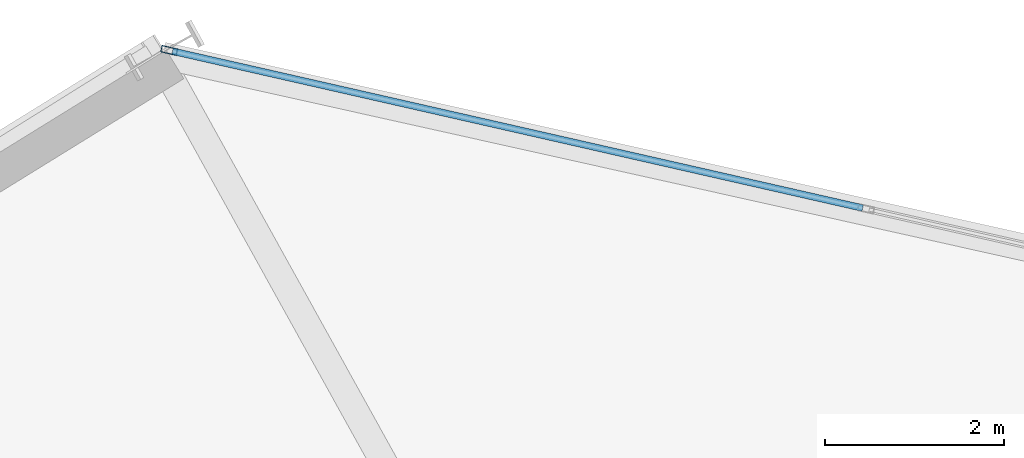
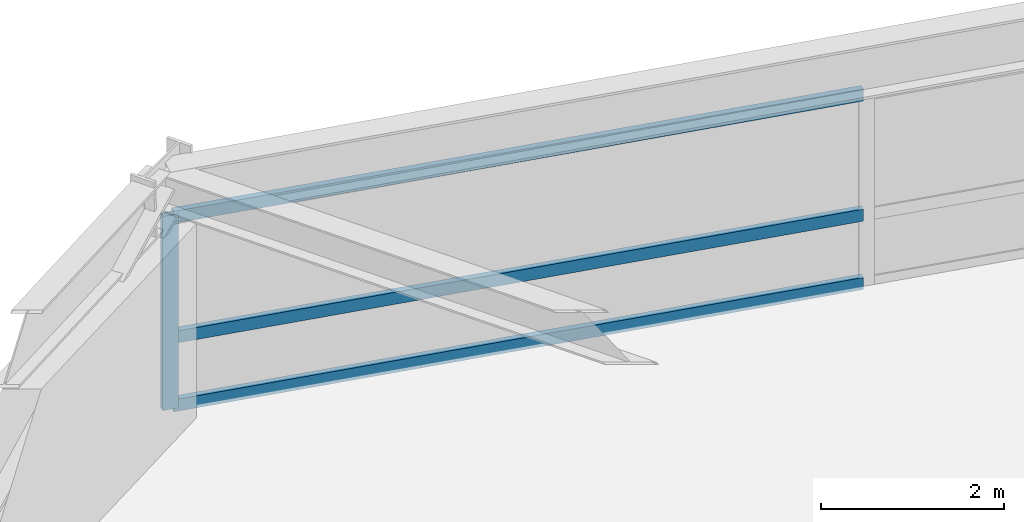
# One storey, part 8 of 23: 4 members, 1 element without a shape of its own.
"""IFC4 building model written with IfcOpenShell, lengths in metres."""

from ifc_helpers import new_model, si_unit, direction, frame, origin, origin_2d, place, context, subcontext, project, spatial, hollow_rectangle, extrude, source, transform, mapped, material, material_profile, profile_set, type_object, element, aggregate, save


model = new_model("IFC4")

# Units and contexts
model_context = context("Model", 3, precision=1e-05, world=origin(), true_north=direction((0.0, 1.0)))
body_context = subcontext(model_context, "Body", "Model", "MODEL_VIEW")
ifc_project = project(units=[si_unit("LENGTHUNIT", "METRE"), si_unit("AREAUNIT", "SQUARE_METRE"), si_unit("VOLUMEUNIT", "CUBIC_METRE"), si_unit("PLANEANGLEUNIT", "RADIAN"), si_unit("MASSUNIT", "GRAM", prefix="KILO")], contexts=[model_context])

# Site, building, storey
site_placement = place(None, origin())
site = spatial("IfcSite", under=ifc_project, at=site_placement, CompositionType="ELEMENT")
building_placement = place(site_placement, origin())
building = spatial("IfcBuilding", under=site, at=building_placement, Name="Olszyna Solenne Hotel", CompositionType="ELEMENT")
storey_placement = place(building_placement, frame((0.0, 0.0, 32.85009765625)))
storey = spatial("IfcBuildingStorey", under=building, at=storey_placement, Name="L07", CompositionType="ELEMENT", Elevation=32.85009765625)

# Curtain wall, members
ifc_material = material(Name="Anodised bronze aluminium", Category="aluminium")
curtain_wall_type = type_object("IfcCurtainWallType", Name="CW-SYS-2", PredefinedType="NOTDEFINED", material=ifc_material)
curtain_wall_placement = place(storey_placement, origin())
curtain_wall = element("IfcCurtainWall", 1, at=curtain_wall_placement, inside=storey, type_object=curtain_wall_type, Name="Unitised curtain wall CW-SYS-2 CW-L07-02", PredefinedType="NOTDEFINED")
ifc_material_profile_1 = material_profile(ifc_material, hollow_rectangle(XDim=0.074951171875, YDim=0.179931640625, WallThickness=0.00439453125, at=origin_2d()), Name="MULL 180x75x4.5", Category="load-bearing")
ifc_profile_set_1 = profile_set([ifc_material_profile_1], Name="Anodised bronze aluminium")
member_type_1 = type_object("IfcMemberType", Name="CW-M2", PredefinedType="MULLION", material=ifc_profile_set_1)
shared_shape_1 = source(origin(), body_context, "Body", "SweptSolid", [
    extrude(hollow_rectangle(XDim=0.074951171875, YDim=0.179931640625, WallThickness=0.00439453125, at=origin_2d()), origin(), (0.0, 0.0, 1.0), 2.591796875),
])
member_1_placement = place(storey_placement, frame((26.156982421875, 48.232666015625, 0.0), z_axis=(0.0, 0.0, 1.0), x_axis=(0.221622002849, 0.975132651414, 0.0)))
member_1 = element("IfcMember", 2, at=member_1_placement, type_object=member_type_1, Name="Curtain-wall mullion CW-M2 CM-L07-02-01", PredefinedType="MULLION", context=body_context, shape_type="MappedRepresentation", body=[
    mapped(shared_shape_1, transform((0.0, 0.0, 0.0), x_axis=(1.0, 0.0, 0.0), y_axis=(0.0, 1.0, 0.0), z_axis=(0.0, 0.0, 1.0), scale=1.0)),
])
ifc_material_profile_2 = material_profile(ifc_material, hollow_rectangle(XDim=0.074951171875, YDim=0.159912109375, WallThickness=0.00390625, at=origin_2d()), Name="TRAN 160x75x4", Category="load-bearing")
ifc_profile_set_2 = profile_set([ifc_material_profile_2], Name="Anodised bronze aluminium")
member_type_2 = type_object("IfcMemberType", Name="CW-T1", PredefinedType="USERDEFINED", material=ifc_profile_set_2)
shared_shape_2 = source(origin(), body_context, "Body", "SweptSolid", [
    extrude(hollow_rectangle(XDim=0.074951171875, YDim=0.159912109375, WallThickness=0.00390625, at=origin_2d()), origin(), (0.0, 0.0, 1.0), 7.898193359375),
])
member_2_placement = place(storey_placement, frame((26.193603515625, 48.224365234375, 0.037353515625), z_axis=(0.97512981922, -0.221634464078, 0.0), x_axis=(0.221634464078, 0.97512981922, 0.0)))
member_2 = element("IfcMember", 3, at=member_2_placement, type_object=member_type_2, Name="Curtain-wall transom CW-T1 CT-L07-02-01", ObjectType="TRANSOM", PredefinedType="USERDEFINED", context=body_context, shape_type="MappedRepresentation", body=[
    mapped(shared_shape_2, transform((0.0, 0.0, 0.0), x_axis=(1.0, 0.0, 0.0), y_axis=(0.0, 1.0, 0.0), z_axis=(0.0, 0.0, 1.0), scale=1.0)),
])
member_3_placement = place(storey_placement, frame((26.193603515625, 48.224365234375, 0.949951171875), z_axis=(0.97512981922, -0.221634464078, 0.0), x_axis=(0.221634464078, 0.97512981922, 0.0)))
member_3 = element("IfcMember", 4, at=member_3_placement, type_object=member_type_2, Name="Curtain-wall transom CW-T1 CT-L07-02-02", ObjectType="TRANSOM", PredefinedType="USERDEFINED", context=body_context, shape_type="MappedRepresentation", body=[
    mapped(shared_shape_2, transform((0.0, 0.0, 0.0), x_axis=(1.0, 0.0, 0.0), y_axis=(0.0, 1.0, 0.0), z_axis=(0.0, 0.0, 1.0), scale=1.0)),
])
member_4_placement = place(storey_placement, frame((26.193603515625, 48.224365234375, 2.554443359375), z_axis=(0.97512981922, -0.221634464078, 0.0), x_axis=(0.221634464078, 0.97512981922, 0.0)))
member_4 = element("IfcMember", 5, at=member_4_placement, type_object=member_type_2, Name="Curtain-wall transom CW-T1 CT-L07-02-03", ObjectType="TRANSOM", PredefinedType="USERDEFINED", context=body_context, shape_type="MappedRepresentation", body=[
    mapped(shared_shape_2, transform((0.0, 0.0, 0.0), x_axis=(1.0, 0.0, 0.0), y_axis=(0.0, 1.0, 0.0), z_axis=(0.0, 0.0, 1.0), scale=1.0)),
])
aggregate(curtain_wall, [member_1, member_2, member_3, member_4])

save(model, "model.ifc")
